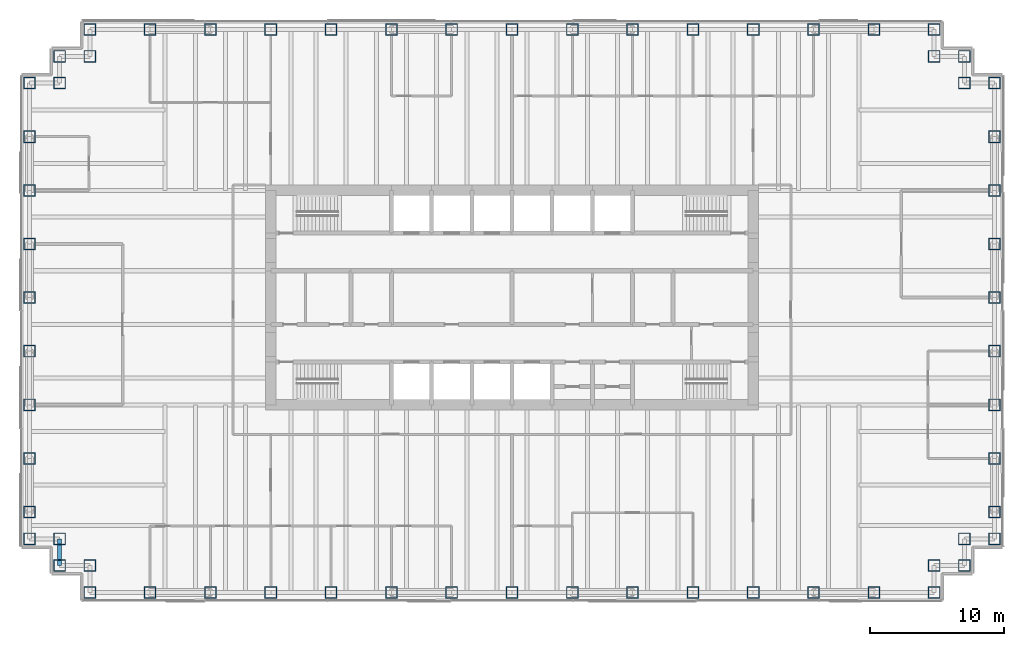
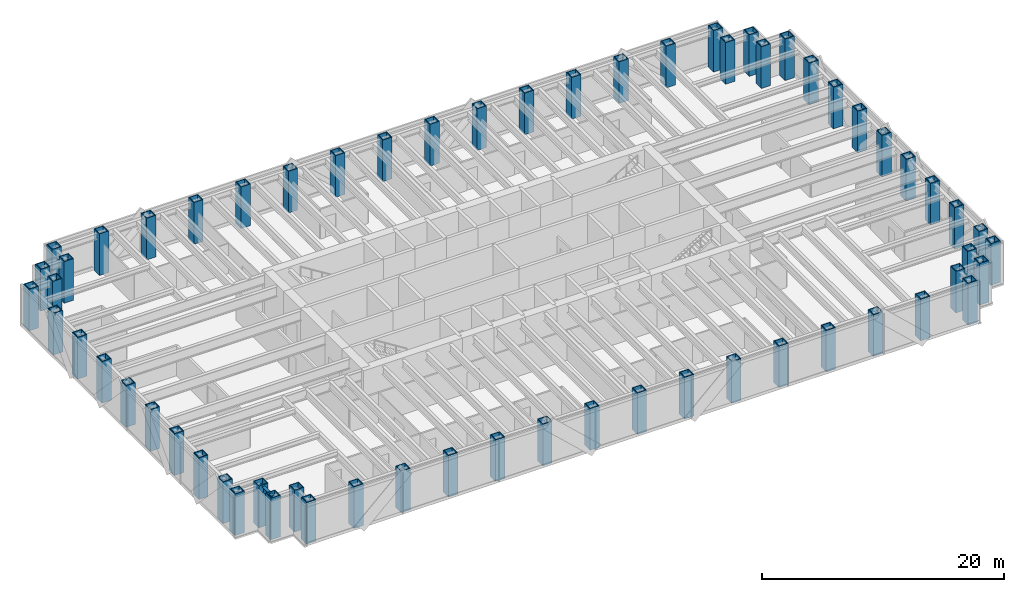
# One storey, part 1 of 15: 62 columns, 1 beam.
"""IFC4 building model written with IfcOpenShell, lengths in metres."""

from ifc_helpers import new_model, si_unit, direction, frame, origin, origin_2d, place, context, subcontext, project, spatial, hollow_rectangle, i_section, extrude, material, material_profile, profile_set, type_object, element, save


model = new_model("IFC4")

# Units and contexts
model_context = context("Model", 3, precision=1e-05, world=origin(), true_north=direction((0.0, 1.0)))
body_context = subcontext(model_context, "Body", "Model", "MODEL_VIEW")
ifc_project = project(units=[si_unit("LENGTHUNIT", "METRE"), si_unit("AREAUNIT", "SQUARE_METRE"), si_unit("VOLUMEUNIT", "CUBIC_METRE"), si_unit("PLANEANGLEUNIT", "RADIAN"), si_unit("MASSUNIT", "GRAM", prefix="KILO")], contexts=[model_context])

# Site, building, storey
site_placement = place(None, origin())
site = spatial("IfcSite", under=ifc_project, at=site_placement, CompositionType="ELEMENT")
building_placement = place(site_placement, origin())
building = spatial("IfcBuilding", under=site, at=building_placement, Name="Rheinbord Bourse Tower", CompositionType="ELEMENT")
storey_placement = place(building_placement, frame((0.0, 0.0, 248.800048828125)))
storey = spatial("IfcBuildingStorey", under=building, at=storey_placement, Name="L56", CompositionType="ELEMENT", Elevation=248.800048828125)

# Columns
ifc_material_1 = material(Name="Steel S460M", Category="steel")
ifc_material_profile_1 = material_profile(ifc_material_1, hollow_rectangle(XDim=0.89990234375, YDim=0.89990234375, WallThickness=0.070068359375, at=origin_2d()), Name="BOX 900x900x70")
ifc_profile_set_1 = profile_set([ifc_material_profile_1], Name="Steel S460M")
column_type = type_object("IfcColumnType", Name="TUBE COLUMN BOX 900x900x70", PredefinedType="COLUMN", material=ifc_profile_set_1)
for number, where, z_axis, x_axis, name in (
    (1, (4.5, 2.0, 0.0), (0.0, 0.0, 1.0), (0.0, 1.0, 0.0), "Column SW-E L56"),
    (2, (9.0, 2.0, 0.0), (0.0, 0.0, 1.0), (0.0, 1.0, 0.0), "Column S-9 L56"),
    (3, (13.5, 2.0, 0.0), (0.0, 0.0, 1.0), (0.0, 1.0, 0.0), "Column S-13.5 L56"),
    (4, (18.0, 2.0, 0.0), (0.0, 0.0, 1.0), (0.0, 1.0, 0.0), "Column S-18 L56"),
    (5, (22.5, 2.0, 0.0), (0.0, 0.0, 1.0), (0.0, 1.0, 0.0), "Column S-22.5 L56"),
    (6, (27.0, 2.0, 0.0), (0.0, 0.0, 1.0), (0.0, 1.0, 0.0), "Column S-27 L56"),
    (7, (31.5, 2.0, 0.0), (0.0, 0.0, 1.0), (0.0, 1.0, 0.0), "Column S-31.5 L56"),
    (8, (36.0, 2.0, 0.0), (0.0, 0.0, 1.0), (0.0, 1.0, 0.0), "Column S-36 L56"),
    (9, (40.5, 2.0, 0.0), (0.0, 0.0, 1.0), (0.0, 1.0, 0.0), "Column S-40.5 L56"),
    (10, (45.0, 2.0, 0.0), (0.0, 0.0, 1.0), (0.0, 1.0, 0.0), "Column S-45 L56"),
    (11, (49.5, 2.0, 0.0), (0.0, 0.0, 1.0), (0.0, 1.0, 0.0), "Column S-49.5 L56"),
    (12, (54.0, 2.0, 0.0), (0.0, 0.0, 1.0), (0.0, 1.0, 0.0), "Column S-54 L56"),
    (13, (58.5, 2.0, 0.0), (0.0, 0.0, 1.0), (0.0, 1.0, 0.0), "Column S-58.5 L56"),
    (14, (63.0, 2.0, 0.0), (0.0, 0.0, 1.0), (0.0, 1.0, 0.0), "Column S-63 L56"),
    (15, (67.5, 2.0, 0.0), (0.0, 0.0, 1.0), (0.0, 1.0, 0.0), "Column SE-E L56"),
    (16, (67.5, 4.0, 0.0), (0.0, 0.0, 1.0), (0.0, 1.0, 0.0), "Column SE-D L56"),
    (17, (69.75, 4.0, 0.0), (0.0, 0.0, 1.0), (1.0, 0.0, 0.0), "Column SE-C L56"),
    (18, (69.75, 6.0, 0.0), (0.0, 0.0, 1.0), (1.0, 0.0, 0.0), "Column SE-B L56"),
    (19, (72.0, 6.0, 0.0), (0.0, 0.0, 1.0), (1.0, 0.0, 0.0), "Column SE-A L56"),
    (20, (72.0, 8.0, 0.0), (0.0, 0.0, 1.0), (1.0, 0.0, 0.0), "Column E-8 L56"),
    (21, (72.0, 12.0, 0.0), (0.0, 0.0, 1.0), (1.0, 0.0, 0.0), "Column E-12 L56"),
    (22, (72.0, 16.0, 0.0), (0.0, 0.0, 1.0), (1.0, 0.0, 0.0), "Column E-16 L56"),
    (23, (72.0, 20.0, 0.0), (0.0, 0.0, 1.0), (1.0, 0.0, 0.0), "Column E-20 L56"),
    (24, (72.0, 24.0, 0.0), (0.0, 0.0, 1.0), (1.0, 0.0, 0.0), "Column E-24 L56"),
    (25, (72.0, 28.0, 0.0), (0.0, 0.0, 1.0), (1.0, 0.0, 0.0), "Column E-28 L56"),
    (26, (72.0, 32.0, 0.0), (0.0, 0.0, 1.0), (1.0, 0.0, 0.0), "Column E-32 L56"),
    (27, (72.0, 36.0, 0.0), (0.0, 0.0, 1.0), (1.0, 0.0, 0.0), "Column E-36 L56"),
    (28, (72.0, 40.0, 0.0), (0.0, 0.0, 1.0), (1.0, 0.0, 0.0), "Column NE-A L56"),
    (29, (69.75, 40.0, 0.0), (0.0, 0.0, 1.0), (1.0, 0.0, 0.0), "Column NE-B L56"),
    (30, (69.75, 42.0, 0.0), (0.0, 0.0, 1.0), (1.0, 0.0, 0.0), "Column NE-C L56"),
    (31, (67.5, 42.0, 0.0), (0.0, 0.0, 1.0), (0.0, 1.0, 0.0), "Column NE-D L56"),
    (32, (67.5, 44.0, 0.0), (0.0, 0.0, 1.0), (0.0, 1.0, 0.0), "Column NE-E L56"),
    (33, (63.0, 44.0, 0.0), (0.0, 0.0, 1.0), (0.0, 1.0, 0.0), "Column N-63 L56"),
    (34, (58.5, 44.0, 0.0), (0.0, 0.0, 1.0), (0.0, 1.0, 0.0), "Column N-58.5 L56"),
    (35, (54.0, 44.0, 0.0), (0.0, 0.0, 1.0), (0.0, 1.0, 0.0), "Column N-54 L56"),
    (36, (49.5, 44.0, 0.0), (0.0, 0.0, 1.0), (0.0, 1.0, 0.0), "Column N-49.5 L56"),
    (37, (45.0, 44.0, 0.0), (0.0, 0.0, 1.0), (0.0, 1.0, 0.0), "Column N-45 L56"),
    (38, (40.5, 44.0, 0.0), (0.0, 0.0, 1.0), (0.0, 1.0, 0.0), "Column N-40.5 L56"),
    (39, (36.0, 44.0, 0.0), (0.0, 0.0, 1.0), (0.0, 1.0, 0.0), "Column N-36 L56"),
    (40, (31.5, 44.0, 0.0), (0.0, 0.0, 1.0), (0.0, 1.0, 0.0), "Column N-31.5 L56"),
    (41, (27.0, 44.0, 0.0), (0.0, 0.0, 1.0), (0.0, 1.0, 0.0), "Column N-27 L56"),
    (42, (22.5, 44.0, 0.0), (0.0, 0.0, 1.0), (0.0, 1.0, 0.0), "Column N-22.5 L56"),
    (43, (18.0, 44.0, 0.0), (0.0, 0.0, 1.0), (0.0, 1.0, 0.0), "Column N-18 L56"),
    (44, (13.5, 44.0, 0.0), (0.0, 0.0, 1.0), (0.0, 1.0, 0.0), "Column N-13.5 L56"),
    (45, (9.0, 44.0, 0.0), (0.0, 0.0, 1.0), (0.0, 1.0, 0.0), "Column N-9 L56"),
    (46, (4.5, 44.0, 0.0), (0.0, 0.0, 1.0), (0.0, 1.0, 0.0), "Column NW-E L56"),
    (47, (4.5, 42.0, 0.0), (0.0, 0.0, 1.0), (0.0, 1.0, 0.0), "Column NW-D L56"),
    (48, (2.25, 42.0, 0.0), (0.0, 0.0, 1.0), (1.0, 0.0, 0.0), "Column NW-C L56"),
    (49, (2.25, 40.0, 0.0), (0.0, 0.0, 1.0), (1.0, 0.0, 0.0), "Column NW-B L56"),
    (50, (0.0, 40.0, 0.0), (0.0, 0.0, 1.0), (1.0, 0.0, 0.0), "Column NW-A L56"),
    (51, (0.0, 36.0, 0.0), (0.0, 0.0, 1.0), (1.0, 0.0, 0.0), "Column W-36 L56"),
    (52, (0.0, 32.0, 0.0), (0.0, 0.0, 1.0), (1.0, 0.0, 0.0), "Column W-32 L56"),
    (53, (0.0, 28.0, 0.0), (0.0, 0.0, 1.0), (1.0, 0.0, 0.0), "Column W-28 L56"),
    (54, (0.0, 24.0, 0.0), (0.0, 0.0, 1.0), (1.0, 0.0, 0.0), "Column W-24 L56"),
    (55, (0.0, 20.0, 0.0), (0.0, 0.0, 1.0), (1.0, 0.0, 0.0), "Column W-20 L56"),
    (56, (0.0, 16.0, 0.0), (0.0, 0.0, 1.0), (1.0, 0.0, 0.0), "Column W-16 L56"),
    (57, (0.0, 12.0, 0.0), (0.0, 0.0, 1.0), (1.0, 0.0, 0.0), "Column W-12 L56"),
    (58, (0.0, 8.0, 0.0), (0.0, 0.0, 1.0), (1.0, 0.0, 0.0), "Column W-8 L56"),
    (59, (0.0, 6.0, 0.0), (0.0, 0.0, 1.0), (1.0, 0.0, 0.0), "Column SW-A L56"),
    (60, (2.25, 6.0, 0.0), (0.0, 0.0, 1.0), (1.0, 0.0, 0.0), "Column SW-B L56"),
    (61, (2.25, 4.0, 0.0), (0.0, 0.0, 1.0), (1.0, 0.0, 0.0), "Column SW-C L56"),
    (62, (4.5, 4.0, 0.0), (0.0, 0.0, 1.0), (0.0, 1.0, 0.0), "Column SW-D L56"),
):
    element("IfcColumn", number, at=place(storey_placement, frame(where, z_axis=z_axis, x_axis=x_axis)), inside=storey, type_object=column_type, Name=name, PredefinedType="COLUMN", context=body_context, shape_type="SweptSolid", body=[
        extrude(hollow_rectangle(XDim=0.89990234375, YDim=0.89990234375, WallThickness=0.070068359375, at=origin_2d()), origin(), (0.0, 0.0, 1.0), 4.199951171875),
    ])

# Beam
ifc_material_2 = material(Name="Steel S460", Category="steel")
ifc_material_profile_2 = material_profile(ifc_material_2, i_section(OverallWidth=0.300048828125, OverallDepth=0.60009765625, WebThickness=0.015380859375, FlangeThickness=0.030029296875, at=origin_2d()), Name="HEB 600")
ifc_profile_set_2 = profile_set([ifc_material_profile_2], Name="Steel S460")
beam_type = type_object("IfcBeamType", Name="SPANDREL HEB 600", PredefinedType="SPANDREL", material=ifc_profile_set_2)
beam_placement = place(storey_placement, frame((2.25, 6.0, 3.739990234375), z_axis=(0.0, -1.0, 0.0), x_axis=(1.0, 0.0, 0.0)))
element("IfcBeam", 63, at=beam_placement, inside=storey, type_object=beam_type, Name="Spandrel SW-B-SW-C under L57", PredefinedType="SPANDREL", context=body_context, shape_type="SweptSolid", body=[
    extrude(i_section(OverallWidth=0.300048828125, OverallDepth=0.60009765625, WebThickness=0.015380859375, FlangeThickness=0.030029296875, at=origin_2d()), origin(), (0.0, 0.0, 1.0), 2.0),
])

save(model, "model.ifc")
